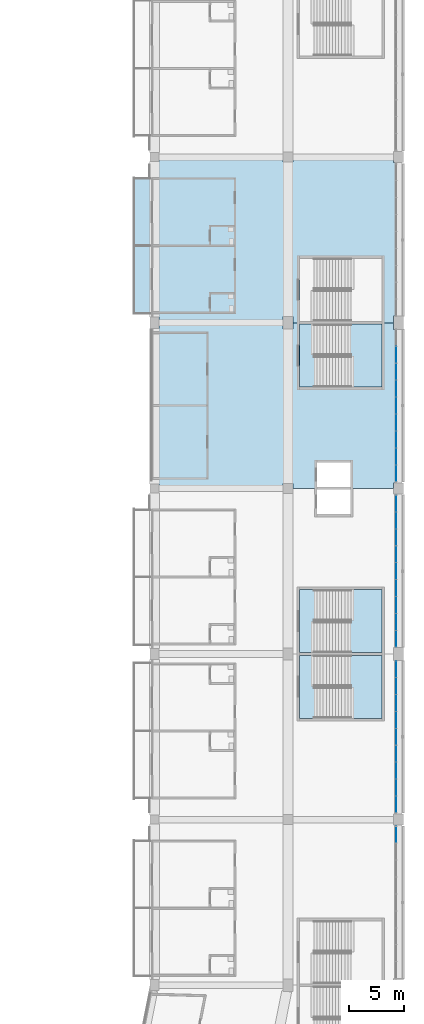
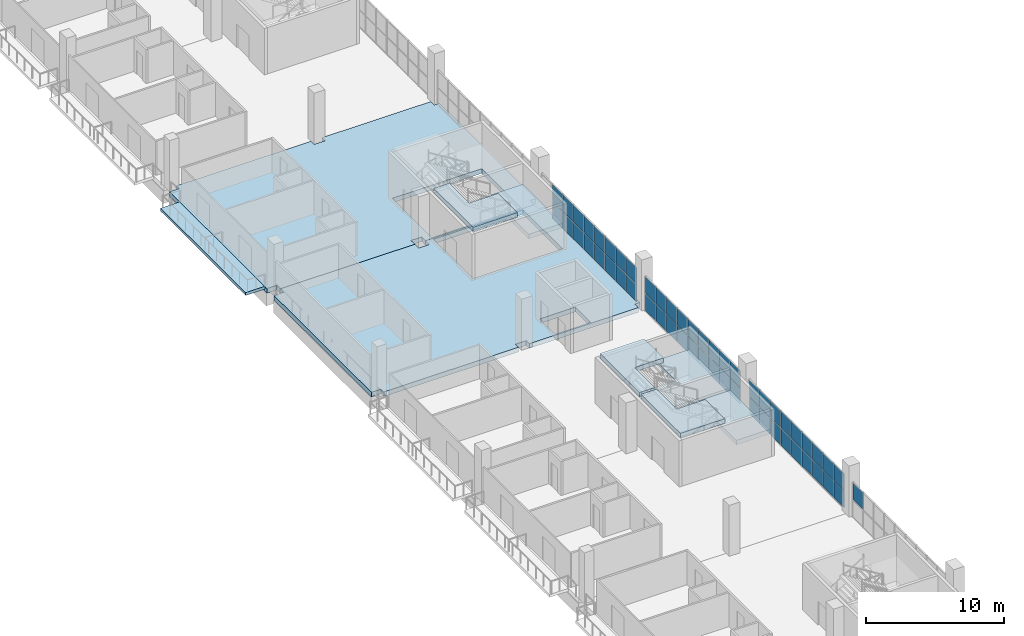
# One storey, part 64 of 199: 53 plates, 9 slabs, 7 elements without a shape of their own.
"""IFC4 building model written with IfcOpenShell, lengths in metres."""

from ifc_helpers import new_model, si_unit, direction, frame, origin, origin_2d, place, context, subcontext, project, spatial, polyline, rectangle, outline, extrude, material, layer, layer_set, type_object, element, aggregate, save


model = new_model("IFC4")

# Units and contexts
model_context = context("Model", 3, precision=1e-05, world=origin(), true_north=direction((0.0, 1.0)))
body_context = subcontext(model_context, "Body", "Model", "MODEL_VIEW")
ifc_project = project(units=[si_unit("LENGTHUNIT", "METRE"), si_unit("AREAUNIT", "SQUARE_METRE"), si_unit("VOLUMEUNIT", "CUBIC_METRE"), si_unit("PLANEANGLEUNIT", "RADIAN"), si_unit("MASSUNIT", "GRAM", prefix="KILO")], contexts=[model_context])

# Site, building, storey
site_placement = place(None, origin())
site = spatial("IfcSite", under=ifc_project, at=site_placement, CompositionType="ELEMENT")
building_placement = place(site_placement, origin())
building = spatial("IfcBuilding", under=site, at=building_placement, Name="Ogive Plaza Stadium", CompositionType="ELEMENT")
storey_placement = place(building_placement, frame((0.0, 0.0, 9.0)))
storey = spatial("IfcBuildingStorey", under=building, at=storey_placement, Name="L02", CompositionType="ELEMENT", Elevation=9.0)

# Slab
ifc_material_1 = material(Name="Concrete C40/50", Category="concrete")
ifc_layer_1 = layer(ifc_material_1, 0.25)
ifc_layer_set_1 = layer_set([ifc_layer_1], Name="Concrete C40/50")
slab_type_1 = type_object("IfcSlabType", Name="Balcony slab 250", PredefinedType="FLOOR", material=ifc_layer_set_1)
slab_1_placement = place(storey_placement, frame((0.0, 0.0, -0.25)))
element("IfcSlab", 1, at=slab_1_placement, inside=storey, type_object=slab_type_1, Name="Suite terrace slab B03", PredefinedType="FLOOR", context=body_context, shape_type="SweptSolid", body=[
    extrude(outline(polyline([(59.89990234375, 8.324951171875), (61.5, 8.324951171875), (61.5, 20.625), (59.89990234375, 20.625), (59.89990234375, 8.324951171875)])), origin(), (0.0, 0.0, 1.0), 0.25),
])

# Curtain wall, plates
ifc_material_2 = material(Name="Bronze-anodised aluminium with laminated glass", Category="aluminium")
curtain_wall_type = type_object("IfcCurtainWallType", Name="Lancet curtain wall", PredefinedType="NOTDEFINED", material=ifc_material_2)
curtain_wall_1_placement = place(storey_placement, origin())
curtain_wall_1 = element("IfcCurtainWall", 2, at=curtain_wall_1_placement, inside=storey, type_object=curtain_wall_type, Name="CURTAIN WALL B04 L02", PredefinedType="NOTDEFINED")
ifc_material_3 = material(Name="Laminated glass", Category="glass")
ifc_layer_2 = layer(ifc_material_3, 0.028076171875)
ifc_layer_set_2 = layer_set([ifc_layer_2], Name="Laminated glass panel 28")
plate_type = type_object("IfcPlateType", Name="Laminated glass panel 28", PredefinedType="CURTAIN_PANEL", material=ifc_layer_set_2)
plate_1_placement = place(storey_placement, frame((83.800048828125, 4.60009765625, 0.0498046875), z_axis=(0.0, 0.0, 1.0), x_axis=(0.0, -1.0, 0.0)))
plate_1 = element("IfcPlate", 3, at=plate_1_placement, type_object=plate_type, Name="CW-B04-L02 panel 2.1", PredefinedType="CURTAIN_PANEL", context=body_context, shape_type="SweptSolid", body=[
    extrude(rectangle(XDim=1.4833984375, YDim=0.028076171875, at=origin_2d()), origin(), (0.0, 0.0, 1.0), 1.469970703125),
])
plate_2_placement = place(storey_placement, frame((83.800048828125, 4.60009765625, 1.56982421875), z_axis=(0.0, 0.0, 1.0), x_axis=(0.0, -1.0, 0.0)))
plate_2 = element("IfcPlate", 4, at=plate_2_placement, type_object=plate_type, Name="CW-B04-L02 panel 2.2", PredefinedType="CURTAIN_PANEL", context=body_context, shape_type="SweptSolid", body=[
    extrude(rectangle(XDim=1.4833984375, YDim=0.028076171875, at=origin_2d()), origin(), (0.0, 0.0, 1.0), 1.469970703125),
])
plate_3_placement = place(storey_placement, frame((83.800048828125, 3.066650390625, 0.0498046875), z_axis=(0.0, 0.0, 1.0), x_axis=(0.0, -1.0, 0.0)))
plate_3 = element("IfcPlate", 5, at=plate_3_placement, type_object=plate_type, Name="CW-B04-L02 panel 3.1", PredefinedType="CURTAIN_PANEL", context=body_context, shape_type="SweptSolid", body=[
    extrude(rectangle(XDim=1.4833984375, YDim=0.028076171875, at=origin_2d()), origin(), (0.0, 0.0, 1.0), 1.469970703125),
])
plate_4_placement = place(storey_placement, frame((83.800048828125, 3.066650390625, 1.56982421875), z_axis=(0.0, 0.0, 1.0), x_axis=(0.0, -1.0, 0.0)))
plate_4 = element("IfcPlate", 6, at=plate_4_placement, type_object=plate_type, Name="CW-B04-L02 panel 3.2", PredefinedType="CURTAIN_PANEL", context=body_context, shape_type="SweptSolid", body=[
    extrude(rectangle(XDim=1.4833984375, YDim=0.028076171875, at=origin_2d()), origin(), (0.0, 0.0, 1.0), 1.469970703125),
])
plate_5_placement = place(storey_placement, frame((83.800048828125, 1.533447265625, 0.0498046875), z_axis=(0.0, 0.0, 1.0), x_axis=(0.0, -1.0, 0.0)))
plate_5 = element("IfcPlate", 7, at=plate_5_placement, type_object=plate_type, Name="CW-B04-L02 panel 4.1", PredefinedType="CURTAIN_PANEL", context=body_context, shape_type="SweptSolid", body=[
    extrude(rectangle(XDim=1.4833984375, YDim=0.028076171875, at=origin_2d()), origin(), (0.0, 0.0, 1.0), 1.469970703125),
])
plate_6_placement = place(storey_placement, frame((83.800048828125, 1.533447265625, 1.56982421875), z_axis=(0.0, 0.0, 1.0), x_axis=(0.0, -1.0, 0.0)))
plate_6 = element("IfcPlate", 8, at=plate_6_placement, type_object=plate_type, Name="CW-B04-L02 panel 4.2", PredefinedType="CURTAIN_PANEL", context=body_context, shape_type="SweptSolid", body=[
    extrude(rectangle(XDim=1.4833984375, YDim=0.028076171875, at=origin_2d()), origin(), (0.0, 0.0, 1.0), 1.469970703125),
])
plate_7_placement = place(storey_placement, frame((83.800048828125, 0.0, 0.0498046875), z_axis=(0.0, 0.0, 1.0), x_axis=(0.0, -1.0, 0.0)))
plate_7 = element("IfcPlate", 9, at=plate_7_placement, type_object=plate_type, Name="CW-B04-L02 panel 5.1", PredefinedType="CURTAIN_PANEL", context=body_context, shape_type="SweptSolid", body=[
    extrude(rectangle(XDim=1.4833984375, YDim=0.028076171875, at=origin_2d()), origin(), (0.0, 0.0, 1.0), 1.469970703125),
])
plate_8_placement = place(storey_placement, frame((83.800048828125, 0.0, 1.56982421875), z_axis=(0.0, 0.0, 1.0), x_axis=(0.0, -1.0, 0.0)))
plate_8 = element("IfcPlate", 10, at=plate_8_placement, type_object=plate_type, Name="CW-B04-L02 panel 5.2", PredefinedType="CURTAIN_PANEL", context=body_context, shape_type="SweptSolid", body=[
    extrude(rectangle(XDim=1.4833984375, YDim=0.028076171875, at=origin_2d()), origin(), (0.0, 0.0, 1.0), 1.469970703125),
])
plate_9_placement = place(storey_placement, frame((83.800048828125, -1.533447265625, 0.0498046875), z_axis=(0.0, 0.0, 1.0), x_axis=(0.0, -1.0, 0.0)))
plate_9 = element("IfcPlate", 11, at=plate_9_placement, type_object=plate_type, Name="CW-B04-L02 panel 6.1", PredefinedType="CURTAIN_PANEL", context=body_context, shape_type="SweptSolid", body=[
    extrude(rectangle(XDim=1.4833984375, YDim=0.028076171875, at=origin_2d()), origin(), (0.0, 0.0, 1.0), 1.469970703125),
])
plate_10_placement = place(storey_placement, frame((83.800048828125, -1.533447265625, 1.56982421875), z_axis=(0.0, 0.0, 1.0), x_axis=(0.0, -1.0, 0.0)))
plate_10 = element("IfcPlate", 12, at=plate_10_placement, type_object=plate_type, Name="CW-B04-L02 panel 6.2", PredefinedType="CURTAIN_PANEL", context=body_context, shape_type="SweptSolid", body=[
    extrude(rectangle(XDim=1.4833984375, YDim=0.028076171875, at=origin_2d()), origin(), (0.0, 0.0, 1.0), 1.469970703125),
])
plate_11_placement = place(storey_placement, frame((83.800048828125, -3.066650390625, 0.0498046875), z_axis=(0.0, 0.0, 1.0), x_axis=(0.0, -1.0, 0.0)))
plate_11 = element("IfcPlate", 13, at=plate_11_placement, type_object=plate_type, Name="CW-B04-L02 panel 7.1", PredefinedType="CURTAIN_PANEL", context=body_context, shape_type="SweptSolid", body=[
    extrude(rectangle(XDim=1.4833984375, YDim=0.028076171875, at=origin_2d()), origin(), (0.0, 0.0, 1.0), 1.469970703125),
])
plate_12_placement = place(storey_placement, frame((83.800048828125, -3.066650390625, 1.56982421875), z_axis=(0.0, 0.0, 1.0), x_axis=(0.0, -1.0, 0.0)))
plate_12 = element("IfcPlate", 14, at=plate_12_placement, type_object=plate_type, Name="CW-B04-L02 panel 7.2", PredefinedType="CURTAIN_PANEL", context=body_context, shape_type="SweptSolid", body=[
    extrude(rectangle(XDim=1.4833984375, YDim=0.028076171875, at=origin_2d()), origin(), (0.0, 0.0, 1.0), 1.469970703125),
])
plate_13_placement = place(storey_placement, frame((83.800048828125, -4.60009765625, 0.0498046875), z_axis=(0.0, 0.0, 1.0), x_axis=(0.0, -1.0, 0.0)))
plate_13 = element("IfcPlate", 15, at=plate_13_placement, type_object=plate_type, Name="CW-B04-L02 panel 8.1", PredefinedType="CURTAIN_PANEL", context=body_context, shape_type="SweptSolid", body=[
    extrude(rectangle(XDim=1.4833984375, YDim=0.028076171875, at=origin_2d()), origin(), (0.0, 0.0, 1.0), 1.469970703125),
])
plate_14_placement = place(storey_placement, frame((83.800048828125, -4.60009765625, 1.56982421875), z_axis=(0.0, 0.0, 1.0), x_axis=(0.0, -1.0, 0.0)))
plate_14 = element("IfcPlate", 16, at=plate_14_placement, type_object=plate_type, Name="CW-B04-L02 panel 8.2", PredefinedType="CURTAIN_PANEL", context=body_context, shape_type="SweptSolid", body=[
    extrude(rectangle(XDim=1.4833984375, YDim=0.028076171875, at=origin_2d()), origin(), (0.0, 0.0, 1.0), 1.469970703125),
])
plate_15_placement = place(storey_placement, frame((83.800048828125, -6.120849609375, 0.0498046875), z_axis=(0.0, 0.0, 1.0), x_axis=(0.0, -1.0, 0.0)))
plate_15 = element("IfcPlate", 17, at=plate_15_placement, type_object=plate_type, Name="CW-B04-L02 panel 9.1", PredefinedType="CURTAIN_PANEL", context=body_context, shape_type="SweptSolid", body=[
    extrude(rectangle(XDim=1.458251953125, YDim=0.028076171875, at=origin_2d()), origin(), (0.0, 0.0, 1.0), 1.469970703125),
])
plate_16_placement = place(storey_placement, frame((83.800048828125, -6.120849609375, 1.56982421875), z_axis=(0.0, 0.0, 1.0), x_axis=(0.0, -1.0, 0.0)))
plate_16 = element("IfcPlate", 18, at=plate_16_placement, type_object=plate_type, Name="CW-B04-L02 panel 9.2", PredefinedType="CURTAIN_PANEL", context=body_context, shape_type="SweptSolid", body=[
    extrude(rectangle(XDim=1.458251953125, YDim=0.028076171875, at=origin_2d()), origin(), (0.0, 0.0, 1.0), 1.469970703125),
])
aggregate(curtain_wall_1, [plate_1, plate_2, plate_3, plate_4, plate_5, plate_6, plate_7, plate_8, plate_9, plate_10, plate_11, plate_12, plate_13, plate_14, plate_15, plate_16])

curtain_wall_2_placement = place(storey_placement, origin())
curtain_wall_2 = element("IfcCurtainWall", 19, at=curtain_wall_2_placement, inside=storey, type_object=curtain_wall_type, Name="CURTAIN WALL B05 L02", PredefinedType="NOTDEFINED")
plate_17_placement = place(storey_placement, frame((83.800048828125, -8.879150390625, 0.0498046875), z_axis=(0.0, 0.0, 1.0), x_axis=(0.0, -1.0, 0.0)))
plate_17 = element("IfcPlate", 20, at=plate_17_placement, type_object=plate_type, Name="CW-B05-L02 panel 1.1", PredefinedType="CURTAIN_PANEL", context=body_context, shape_type="SweptSolid", body=[
    extrude(rectangle(XDim=1.458251953125, YDim=0.028076171875, at=origin_2d()), origin(), (0.0, 0.0, 1.0), 1.469970703125),
])
plate_18_placement = place(storey_placement, frame((83.800048828125, -8.879150390625, 1.56982421875), z_axis=(0.0, 0.0, 1.0), x_axis=(0.0, -1.0, 0.0)))
plate_18 = element("IfcPlate", 21, at=plate_18_placement, type_object=plate_type, Name="CW-B05-L02 panel 1.2", PredefinedType="CURTAIN_PANEL", context=body_context, shape_type="SweptSolid", body=[
    extrude(rectangle(XDim=1.458251953125, YDim=0.028076171875, at=origin_2d()), origin(), (0.0, 0.0, 1.0), 1.469970703125),
])
plate_19_placement = place(storey_placement, frame((83.800048828125, -10.39990234375, 0.0498046875), z_axis=(0.0, 0.0, 1.0), x_axis=(0.0, -1.0, 0.0)))
plate_19 = element("IfcPlate", 22, at=plate_19_placement, type_object=plate_type, Name="CW-B05-L02 panel 2.1", PredefinedType="CURTAIN_PANEL", context=body_context, shape_type="SweptSolid", body=[
    extrude(rectangle(XDim=1.4833984375, YDim=0.028076171875, at=origin_2d()), origin(), (0.0, 0.0, 1.0), 1.469970703125),
])
plate_20_placement = place(storey_placement, frame((83.800048828125, -10.39990234375, 1.56982421875), z_axis=(0.0, 0.0, 1.0), x_axis=(0.0, -1.0, 0.0)))
plate_20 = element("IfcPlate", 23, at=plate_20_placement, type_object=plate_type, Name="CW-B05-L02 panel 2.2", PredefinedType="CURTAIN_PANEL", context=body_context, shape_type="SweptSolid", body=[
    extrude(rectangle(XDim=1.4833984375, YDim=0.028076171875, at=origin_2d()), origin(), (0.0, 0.0, 1.0), 1.469970703125),
])
plate_21_placement = place(storey_placement, frame((83.800048828125, -11.933349609375, 0.0498046875), z_axis=(0.0, 0.0, 1.0), x_axis=(0.0, -1.0, 0.0)))
plate_21 = element("IfcPlate", 24, at=plate_21_placement, type_object=plate_type, Name="CW-B05-L02 panel 3.1", PredefinedType="CURTAIN_PANEL", context=body_context, shape_type="SweptSolid", body=[
    extrude(rectangle(XDim=1.4833984375, YDim=0.028076171875, at=origin_2d()), origin(), (0.0, 0.0, 1.0), 1.469970703125),
])
plate_22_placement = place(storey_placement, frame((83.800048828125, -11.933349609375, 1.56982421875), z_axis=(0.0, 0.0, 1.0), x_axis=(0.0, -1.0, 0.0)))
plate_22 = element("IfcPlate", 25, at=plate_22_placement, type_object=plate_type, Name="CW-B05-L02 panel 3.2", PredefinedType="CURTAIN_PANEL", context=body_context, shape_type="SweptSolid", body=[
    extrude(rectangle(XDim=1.4833984375, YDim=0.028076171875, at=origin_2d()), origin(), (0.0, 0.0, 1.0), 1.469970703125),
])
plate_23_placement = place(storey_placement, frame((83.800048828125, -13.466552734375, 0.0498046875), z_axis=(0.0, 0.0, 1.0), x_axis=(0.0, -1.0, 0.0)))
plate_23 = element("IfcPlate", 26, at=plate_23_placement, type_object=plate_type, Name="CW-B05-L02 panel 4.1", PredefinedType="CURTAIN_PANEL", context=body_context, shape_type="SweptSolid", body=[
    extrude(rectangle(XDim=1.4833984375, YDim=0.028076171875, at=origin_2d()), origin(), (0.0, 0.0, 1.0), 1.469970703125),
])
plate_24_placement = place(storey_placement, frame((83.800048828125, -13.466552734375, 1.56982421875), z_axis=(0.0, 0.0, 1.0), x_axis=(0.0, -1.0, 0.0)))
plate_24 = element("IfcPlate", 27, at=plate_24_placement, type_object=plate_type, Name="CW-B05-L02 panel 4.2", PredefinedType="CURTAIN_PANEL", context=body_context, shape_type="SweptSolid", body=[
    extrude(rectangle(XDim=1.4833984375, YDim=0.028076171875, at=origin_2d()), origin(), (0.0, 0.0, 1.0), 1.469970703125),
])
plate_25_placement = place(storey_placement, frame((83.800048828125, -15.0, 0.0498046875), z_axis=(0.0, 0.0, 1.0), x_axis=(0.0, -1.0, 0.0)))
plate_25 = element("IfcPlate", 28, at=plate_25_placement, type_object=plate_type, Name="CW-B05-L02 panel 5.1", PredefinedType="CURTAIN_PANEL", context=body_context, shape_type="SweptSolid", body=[
    extrude(rectangle(XDim=1.4833984375, YDim=0.028076171875, at=origin_2d()), origin(), (0.0, 0.0, 1.0), 1.469970703125),
])
plate_26_placement = place(storey_placement, frame((83.800048828125, -15.0, 1.56982421875), z_axis=(0.0, 0.0, 1.0), x_axis=(0.0, -1.0, 0.0)))
plate_26 = element("IfcPlate", 29, at=plate_26_placement, type_object=plate_type, Name="CW-B05-L02 panel 5.2", PredefinedType="CURTAIN_PANEL", context=body_context, shape_type="SweptSolid", body=[
    extrude(rectangle(XDim=1.4833984375, YDim=0.028076171875, at=origin_2d()), origin(), (0.0, 0.0, 1.0), 1.469970703125),
])
plate_27_placement = place(storey_placement, frame((83.800048828125, -16.533447265625, 0.0498046875), z_axis=(0.0, 0.0, 1.0), x_axis=(0.0, -1.0, 0.0)))
plate_27 = element("IfcPlate", 30, at=plate_27_placement, type_object=plate_type, Name="CW-B05-L02 panel 6.1", PredefinedType="CURTAIN_PANEL", context=body_context, shape_type="SweptSolid", body=[
    extrude(rectangle(XDim=1.4833984375, YDim=0.028076171875, at=origin_2d()), origin(), (0.0, 0.0, 1.0), 1.469970703125),
])
plate_28_placement = place(storey_placement, frame((83.800048828125, -16.533447265625, 1.56982421875), z_axis=(0.0, 0.0, 1.0), x_axis=(0.0, -1.0, 0.0)))
plate_28 = element("IfcPlate", 31, at=plate_28_placement, type_object=plate_type, Name="CW-B05-L02 panel 6.2", PredefinedType="CURTAIN_PANEL", context=body_context, shape_type="SweptSolid", body=[
    extrude(rectangle(XDim=1.4833984375, YDim=0.028076171875, at=origin_2d()), origin(), (0.0, 0.0, 1.0), 1.469970703125),
])
plate_29_placement = place(storey_placement, frame((83.800048828125, -18.066650390625, 0.0498046875), z_axis=(0.0, 0.0, 1.0), x_axis=(0.0, -1.0, 0.0)))
plate_29 = element("IfcPlate", 32, at=plate_29_placement, type_object=plate_type, Name="CW-B05-L02 panel 7.1", PredefinedType="CURTAIN_PANEL", context=body_context, shape_type="SweptSolid", body=[
    extrude(rectangle(XDim=1.4833984375, YDim=0.028076171875, at=origin_2d()), origin(), (0.0, 0.0, 1.0), 1.469970703125),
])
plate_30_placement = place(storey_placement, frame((83.800048828125, -18.066650390625, 1.56982421875), z_axis=(0.0, 0.0, 1.0), x_axis=(0.0, -1.0, 0.0)))
plate_30 = element("IfcPlate", 33, at=plate_30_placement, type_object=plate_type, Name="CW-B05-L02 panel 7.2", PredefinedType="CURTAIN_PANEL", context=body_context, shape_type="SweptSolid", body=[
    extrude(rectangle(XDim=1.4833984375, YDim=0.028076171875, at=origin_2d()), origin(), (0.0, 0.0, 1.0), 1.469970703125),
])
plate_31_placement = place(storey_placement, frame((83.800048828125, -19.60009765625, 0.0498046875), z_axis=(0.0, 0.0, 1.0), x_axis=(0.0, -1.0, 0.0)))
plate_31 = element("IfcPlate", 34, at=plate_31_placement, type_object=plate_type, Name="CW-B05-L02 panel 8.1", PredefinedType="CURTAIN_PANEL", context=body_context, shape_type="SweptSolid", body=[
    extrude(rectangle(XDim=1.4833984375, YDim=0.028076171875, at=origin_2d()), origin(), (0.0, 0.0, 1.0), 1.469970703125),
])
plate_32_placement = place(storey_placement, frame((83.800048828125, -19.60009765625, 1.56982421875), z_axis=(0.0, 0.0, 1.0), x_axis=(0.0, -1.0, 0.0)))
plate_32 = element("IfcPlate", 35, at=plate_32_placement, type_object=plate_type, Name="CW-B05-L02 panel 8.2", PredefinedType="CURTAIN_PANEL", context=body_context, shape_type="SweptSolid", body=[
    extrude(rectangle(XDim=1.4833984375, YDim=0.028076171875, at=origin_2d()), origin(), (0.0, 0.0, 1.0), 1.469970703125),
])
plate_33_placement = place(storey_placement, frame((83.800048828125, -21.120849609375, 0.0498046875), z_axis=(0.0, 0.0, 1.0), x_axis=(0.0, -1.0, 0.0)))
plate_33 = element("IfcPlate", 36, at=plate_33_placement, type_object=plate_type, Name="CW-B05-L02 panel 9.1", PredefinedType="CURTAIN_PANEL", context=body_context, shape_type="SweptSolid", body=[
    extrude(rectangle(XDim=1.458251953125, YDim=0.028076171875, at=origin_2d()), origin(), (0.0, 0.0, 1.0), 1.469970703125),
])
plate_34_placement = place(storey_placement, frame((83.800048828125, -21.120849609375, 1.56982421875), z_axis=(0.0, 0.0, 1.0), x_axis=(0.0, -1.0, 0.0)))
plate_34 = element("IfcPlate", 37, at=plate_34_placement, type_object=plate_type, Name="CW-B05-L02 panel 9.2", PredefinedType="CURTAIN_PANEL", context=body_context, shape_type="SweptSolid", body=[
    extrude(rectangle(XDim=1.458251953125, YDim=0.028076171875, at=origin_2d()), origin(), (0.0, 0.0, 1.0), 1.469970703125),
])
aggregate(curtain_wall_2, [plate_17, plate_18, plate_19, plate_20, plate_21, plate_22, plate_23, plate_24, plate_25, plate_26, plate_27, plate_28, plate_29, plate_30, plate_31, plate_32, plate_33, plate_34])

curtain_wall_3_placement = place(storey_placement, origin())
curtain_wall_3 = element("IfcCurtainWall", 38, at=curtain_wall_3_placement, inside=storey, type_object=curtain_wall_type, Name="CURTAIN WALL B06 L02", PredefinedType="NOTDEFINED")
plate_35_placement = place(storey_placement, frame((83.800048828125, -23.879150390625, 0.0498046875), z_axis=(0.0, 0.0, 1.0), x_axis=(0.0, -1.0, 0.0)))
plate_35 = element("IfcPlate", 39, at=plate_35_placement, type_object=plate_type, Name="CW-B06-L02 panel 1.1", PredefinedType="CURTAIN_PANEL", context=body_context, shape_type="SweptSolid", body=[
    extrude(rectangle(XDim=1.458251953125, YDim=0.028076171875, at=origin_2d()), origin(), (0.0, 0.0, 1.0), 1.469970703125),
])
plate_36_placement = place(storey_placement, frame((83.800048828125, -23.879150390625, 1.56982421875), z_axis=(0.0, 0.0, 1.0), x_axis=(0.0, -1.0, 0.0)))
plate_36 = element("IfcPlate", 40, at=plate_36_placement, type_object=plate_type, Name="CW-B06-L02 panel 1.2", PredefinedType="CURTAIN_PANEL", context=body_context, shape_type="SweptSolid", body=[
    extrude(rectangle(XDim=1.458251953125, YDim=0.028076171875, at=origin_2d()), origin(), (0.0, 0.0, 1.0), 1.469970703125),
])
plate_37_placement = place(storey_placement, frame((83.800048828125, -25.39990234375, 0.0498046875), z_axis=(0.0, 0.0, 1.0), x_axis=(0.0, -1.0, 0.0)))
plate_37 = element("IfcPlate", 41, at=plate_37_placement, type_object=plate_type, Name="CW-B06-L02 panel 2.1", PredefinedType="CURTAIN_PANEL", context=body_context, shape_type="SweptSolid", body=[
    extrude(rectangle(XDim=1.4833984375, YDim=0.028076171875, at=origin_2d()), origin(), (0.0, 0.0, 1.0), 1.469970703125),
])
plate_38_placement = place(storey_placement, frame((83.800048828125, -25.39990234375, 1.56982421875), z_axis=(0.0, 0.0, 1.0), x_axis=(0.0, -1.0, 0.0)))
plate_38 = element("IfcPlate", 42, at=plate_38_placement, type_object=plate_type, Name="CW-B06-L02 panel 2.2", PredefinedType="CURTAIN_PANEL", context=body_context, shape_type="SweptSolid", body=[
    extrude(rectangle(XDim=1.4833984375, YDim=0.028076171875, at=origin_2d()), origin(), (0.0, 0.0, 1.0), 1.469970703125),
])
plate_39_placement = place(storey_placement, frame((83.800048828125, -26.933349609375, 0.0498046875), z_axis=(0.0, 0.0, 1.0), x_axis=(0.0, -1.0, 0.0)))
plate_39 = element("IfcPlate", 43, at=plate_39_placement, type_object=plate_type, Name="CW-B06-L02 panel 3.1", PredefinedType="CURTAIN_PANEL", context=body_context, shape_type="SweptSolid", body=[
    extrude(rectangle(XDim=1.4833984375, YDim=0.028076171875, at=origin_2d()), origin(), (0.0, 0.0, 1.0), 1.469970703125),
])
plate_40_placement = place(storey_placement, frame((83.800048828125, -26.933349609375, 1.56982421875), z_axis=(0.0, 0.0, 1.0), x_axis=(0.0, -1.0, 0.0)))
plate_40 = element("IfcPlate", 44, at=plate_40_placement, type_object=plate_type, Name="CW-B06-L02 panel 3.2", PredefinedType="CURTAIN_PANEL", context=body_context, shape_type="SweptSolid", body=[
    extrude(rectangle(XDim=1.4833984375, YDim=0.028076171875, at=origin_2d()), origin(), (0.0, 0.0, 1.0), 1.469970703125),
])
plate_41_placement = place(storey_placement, frame((83.800048828125, -28.466552734375, 0.0498046875), z_axis=(0.0, 0.0, 1.0), x_axis=(0.0, -1.0, 0.0)))
plate_41 = element("IfcPlate", 45, at=plate_41_placement, type_object=plate_type, Name="CW-B06-L02 panel 4.1", PredefinedType="CURTAIN_PANEL", context=body_context, shape_type="SweptSolid", body=[
    extrude(rectangle(XDim=1.4833984375, YDim=0.028076171875, at=origin_2d()), origin(), (0.0, 0.0, 1.0), 1.469970703125),
])
plate_42_placement = place(storey_placement, frame((83.800048828125, -28.466552734375, 1.56982421875), z_axis=(0.0, 0.0, 1.0), x_axis=(0.0, -1.0, 0.0)))
plate_42 = element("IfcPlate", 46, at=plate_42_placement, type_object=plate_type, Name="CW-B06-L02 panel 4.2", PredefinedType="CURTAIN_PANEL", context=body_context, shape_type="SweptSolid", body=[
    extrude(rectangle(XDim=1.4833984375, YDim=0.028076171875, at=origin_2d()), origin(), (0.0, 0.0, 1.0), 1.469970703125),
])
plate_43_placement = place(storey_placement, frame((83.800048828125, -30.0, 0.0498046875), z_axis=(0.0, 0.0, 1.0), x_axis=(0.0, -1.0, 0.0)))
plate_43 = element("IfcPlate", 47, at=plate_43_placement, type_object=plate_type, Name="CW-B06-L02 panel 5.1", PredefinedType="CURTAIN_PANEL", context=body_context, shape_type="SweptSolid", body=[
    extrude(rectangle(XDim=1.4833984375, YDim=0.028076171875, at=origin_2d()), origin(), (0.0, 0.0, 1.0), 1.469970703125),
])
plate_44_placement = place(storey_placement, frame((83.800048828125, -30.0, 1.56982421875), z_axis=(0.0, 0.0, 1.0), x_axis=(0.0, -1.0, 0.0)))
plate_44 = element("IfcPlate", 48, at=plate_44_placement, type_object=plate_type, Name="CW-B06-L02 panel 5.2", PredefinedType="CURTAIN_PANEL", context=body_context, shape_type="SweptSolid", body=[
    extrude(rectangle(XDim=1.4833984375, YDim=0.028076171875, at=origin_2d()), origin(), (0.0, 0.0, 1.0), 1.469970703125),
])
plate_45_placement = place(storey_placement, frame((83.800048828125, -31.533447265625, 0.0498046875), z_axis=(0.0, 0.0, 1.0), x_axis=(0.0, -1.0, 0.0)))
plate_45 = element("IfcPlate", 49, at=plate_45_placement, type_object=plate_type, Name="CW-B06-L02 panel 6.1", PredefinedType="CURTAIN_PANEL", context=body_context, shape_type="SweptSolid", body=[
    extrude(rectangle(XDim=1.4833984375, YDim=0.028076171875, at=origin_2d()), origin(), (0.0, 0.0, 1.0), 1.469970703125),
])
plate_46_placement = place(storey_placement, frame((83.800048828125, -31.533447265625, 1.56982421875), z_axis=(0.0, 0.0, 1.0), x_axis=(0.0, -1.0, 0.0)))
plate_46 = element("IfcPlate", 50, at=plate_46_placement, type_object=plate_type, Name="CW-B06-L02 panel 6.2", PredefinedType="CURTAIN_PANEL", context=body_context, shape_type="SweptSolid", body=[
    extrude(rectangle(XDim=1.4833984375, YDim=0.028076171875, at=origin_2d()), origin(), (0.0, 0.0, 1.0), 1.469970703125),
])
plate_47_placement = place(storey_placement, frame((83.800048828125, -33.066650390625, 0.0498046875), z_axis=(0.0, 0.0, 1.0), x_axis=(0.0, -1.0, 0.0)))
plate_47 = element("IfcPlate", 51, at=plate_47_placement, type_object=plate_type, Name="CW-B06-L02 panel 7.1", PredefinedType="CURTAIN_PANEL", context=body_context, shape_type="SweptSolid", body=[
    extrude(rectangle(XDim=1.4833984375, YDim=0.028076171875, at=origin_2d()), origin(), (0.0, 0.0, 1.0), 1.469970703125),
])
plate_48_placement = place(storey_placement, frame((83.800048828125, -33.066650390625, 1.56982421875), z_axis=(0.0, 0.0, 1.0), x_axis=(0.0, -1.0, 0.0)))
plate_48 = element("IfcPlate", 52, at=plate_48_placement, type_object=plate_type, Name="CW-B06-L02 panel 7.2", PredefinedType="CURTAIN_PANEL", context=body_context, shape_type="SweptSolid", body=[
    extrude(rectangle(XDim=1.4833984375, YDim=0.028076171875, at=origin_2d()), origin(), (0.0, 0.0, 1.0), 1.469970703125),
])
plate_49_placement = place(storey_placement, frame((83.800048828125, -34.60009765625, 0.0498046875), z_axis=(0.0, 0.0, 1.0), x_axis=(0.0, -1.0, 0.0)))
plate_49 = element("IfcPlate", 53, at=plate_49_placement, type_object=plate_type, Name="CW-B06-L02 panel 8.1", PredefinedType="CURTAIN_PANEL", context=body_context, shape_type="SweptSolid", body=[
    extrude(rectangle(XDim=1.4833984375, YDim=0.028076171875, at=origin_2d()), origin(), (0.0, 0.0, 1.0), 1.469970703125),
])
plate_50_placement = place(storey_placement, frame((83.800048828125, -34.60009765625, 1.56982421875), z_axis=(0.0, 0.0, 1.0), x_axis=(0.0, -1.0, 0.0)))
plate_50 = element("IfcPlate", 54, at=plate_50_placement, type_object=plate_type, Name="CW-B06-L02 panel 8.2", PredefinedType="CURTAIN_PANEL", context=body_context, shape_type="SweptSolid", body=[
    extrude(rectangle(XDim=1.4833984375, YDim=0.028076171875, at=origin_2d()), origin(), (0.0, 0.0, 1.0), 1.469970703125),
])
plate_51_placement = place(storey_placement, frame((83.800048828125, -36.120849609375, 0.0498046875), z_axis=(0.0, 0.0, 1.0), x_axis=(0.0, -1.0, 0.0)))
plate_51 = element("IfcPlate", 55, at=plate_51_placement, type_object=plate_type, Name="CW-B06-L02 panel 9.1", PredefinedType="CURTAIN_PANEL", context=body_context, shape_type="SweptSolid", body=[
    extrude(rectangle(XDim=1.458251953125, YDim=0.028076171875, at=origin_2d()), origin(), (0.0, 0.0, 1.0), 1.469970703125),
])
plate_52_placement = place(storey_placement, frame((83.800048828125, -36.120849609375, 1.56982421875), z_axis=(0.0, 0.0, 1.0), x_axis=(0.0, -1.0, 0.0)))
plate_52 = element("IfcPlate", 56, at=plate_52_placement, type_object=plate_type, Name="CW-B06-L02 panel 9.2", PredefinedType="CURTAIN_PANEL", context=body_context, shape_type="SweptSolid", body=[
    extrude(rectangle(XDim=1.458251953125, YDim=0.028076171875, at=origin_2d()), origin(), (0.0, 0.0, 1.0), 1.469970703125),
])
aggregate(curtain_wall_3, [plate_35, plate_36, plate_37, plate_38, plate_39, plate_40, plate_41, plate_42, plate_43, plate_44, plate_45, plate_46, plate_47, plate_48, plate_49, plate_50, plate_51, plate_52])

# Curtain wall, plate
curtain_wall_4_placement = place(storey_placement, origin())
curtain_wall_4 = element("IfcCurtainWall", 57, at=curtain_wall_4_placement, inside=storey, type_object=curtain_wall_type, Name="CURTAIN WALL B07 L02", PredefinedType="NOTDEFINED")
plate_53_placement = place(storey_placement, frame((83.800048828125, -38.879150390625, 1.56982421875), z_axis=(0.0, 0.0, 1.0), x_axis=(0.0, -1.0, 0.0)))
plate_53 = element("IfcPlate", 58, at=plate_53_placement, type_object=plate_type, Name="CW-B07-L02 panel 1.2", PredefinedType="CURTAIN_PANEL", context=body_context, shape_type="SweptSolid", body=[
    extrude(rectangle(XDim=1.458251953125, YDim=0.028076171875, at=origin_2d()), origin(), (0.0, 0.0, 1.0), 1.469970703125),
])
aggregate(curtain_wall_4, [plate_53])

# Slabs
ifc_material_4 = material(Name="Concrete C40/50", Category="concrete")
ifc_layer_3 = layer(ifc_material_4, 0.409912109375)
ifc_layer_set_3 = layer_set([ifc_layer_3], Name="Concrete C40/50")
slab_type_2 = type_object("IfcSlabType", Name="RC floor slab 410", PredefinedType="FLOOR", material=ifc_layer_set_3)
slab_2_placement = place(storey_placement, frame((0.0, 0.0, -0.409912109375)))
element("IfcSlab", 59, at=slab_2_placement, inside=storey, type_object=slab_type_2, Name="Floor slab L02 B03", PredefinedType="FLOOR", context=body_context, shape_type="SweptSolid", body=[
    extrude(outline(polyline([(73.550048828125, 7.5), (73.550048828125, 8.050048828125), (74.449951171875, 8.050048828125), (74.449951171875, 7.5), (83.550048828125, 7.5), (83.550048828125, 8.10009765625), (84.0, 8.10009765625), (84.0, 22.0), (83.550048828125, 22.0), (83.550048828125, 22.5), (74.449951171875, 22.5), (74.449951171875, 22.050048828125), (73.550048828125, 22.050048828125), (73.550048828125, 22.5), (62.300048828125, 22.5), (62.300048828125, 22.10009765625), (61.5, 22.10009765625), (61.5, 8.0), (62.300048828125, 8.0), (62.300048828125, 7.5), (73.550048828125, 7.5)]), holes=[polyline([(75.050048828125, 13.324951171875), (75.050048828125, 7.625), (82.510009765625, 7.625), (82.510009765625, 13.324951171875), (75.050048828125, 13.324951171875)])]), origin(), (0.0, 0.0, 1.0), 0.409912109375),
])
slab_3_placement = place(storey_placement, frame((0.0, 0.0, -0.409912109375)))
element("IfcSlab", 60, at=slab_3_placement, inside=storey, type_object=slab_type_2, Name="Floor slab L02 B04", PredefinedType="FLOOR", context=body_context, shape_type="SweptSolid", body=[
    extrude(outline(polyline([(73.550048828125, -7.5), (73.550048828125, -7.050048828125), (74.449951171875, -7.050048828125), (74.449951171875, -7.5), (83.550048828125, -7.5), (83.550048828125, -7.0), (84.0, -7.0), (84.0, 6.89990234375), (83.550048828125, 6.89990234375), (83.550048828125, 7.5), (74.449951171875, 7.5), (74.449951171875, 6.949951171875), (73.550048828125, 6.949951171875), (73.550048828125, 7.5), (62.300048828125, 7.5), (62.300048828125, 7.0), (61.5, 7.0), (61.5, -7.10009765625), (62.300048828125, -7.10009765625), (62.300048828125, -7.5), (73.550048828125, -7.5)]), holes=[polyline([(76.64990234375, -5.175048828125), (76.64990234375, -7.375), (79.64990234375, -7.375), (79.64990234375, -5.175048828125), (76.64990234375, -5.175048828125)]), polyline([(75.050048828125, 7.375), (75.050048828125, 1.675048828125), (82.510009765625, 1.675048828125), (82.510009765625, 7.375), (75.050048828125, 7.375)])]), origin(), (0.0, 0.0, 1.0), 0.409912109375),
])

# Stair, slabs
ifc_material_5 = material(Name="Concrete C40/50", Category="concrete")
stair_type = type_object("IfcStairType", Name="Exit stair", PredefinedType="STRAIGHT_RUN_STAIR", material=ifc_material_5)
stair_1_placement = place(storey_placement, origin())
stair_1 = element("IfcStair", 61, at=stair_1_placement, inside=storey, type_object=stair_type, Name="Exit stair ST04A L02 to L03", PredefinedType="STRAIGHT_RUN_STAIR")
ifc_material_6 = material(Name="Concrete C40/50", Category="concrete")
ifc_layer_4 = layer(ifc_material_6, 0.39990234375)
ifc_layer_set_4 = layer_set([ifc_layer_4], Name="Concrete C40/50")
slab_type_3 = type_object("IfcSlabType", Name="Stair landing", PredefinedType="LANDING", material=ifc_layer_set_4)
slab_4_placement = place(storey_placement, frame((0.0, 0.0, 1.85009765625)))
slab_4 = element("IfcSlab", 62, at=slab_4_placement, type_object=slab_type_3, Name="ST04A landing 1", PredefinedType="LANDING", context=body_context, shape_type="SweptSolid", body=[
    extrude(outline(polyline([(82.510009765625, 7.375), (82.510009765625, 1.675048828125), (79.7099609375, 1.675048828125), (79.7099609375, 4.574951171875), (77.31005859375, 4.574951171875), (77.31005859375, 7.375), (79.7099609375, 7.375), (82.510009765625, 7.375)])), origin(), (0.0, 0.0, 1.0), 0.39990234375),
])
slab_5_placement = place(storey_placement, frame((0.0, 0.0, 4.10009765625)))
slab_5 = element("IfcSlab", 63, at=slab_5_placement, type_object=slab_type_3, Name="ST04A landing 2", PredefinedType="LANDING", context=body_context, shape_type="SweptSolid", body=[
    extrude(outline(polyline([(78.75, 4.47509765625), (78.75, 1.675048828125), (76.35009765625, 1.675048828125), (75.050048828125, 1.675048828125), (75.050048828125, 7.375), (76.35009765625, 7.375), (76.35009765625, 4.47509765625), (78.75, 4.47509765625)])), origin(), (0.0, 0.0, 1.0), 0.39990234375),
])
aggregate(stair_1, [slab_4, slab_5])

stair_2_placement = place(storey_placement, origin())
stair_2 = element("IfcStair", 64, at=stair_2_placement, inside=storey, type_object=stair_type, Name="Exit stair ST06A L02 to L03", PredefinedType="STRAIGHT_RUN_STAIR")
slab_6_placement = place(storey_placement, frame((0.0, 0.0, 1.85009765625)))
slab_6 = element("IfcSlab", 65, at=slab_6_placement, type_object=slab_type_3, Name="ST06A landing 1", PredefinedType="LANDING", context=body_context, shape_type="SweptSolid", body=[
    extrude(outline(polyline([(82.510009765625, -22.625), (82.510009765625, -28.324951171875), (79.7099609375, -28.324951171875), (79.7099609375, -25.425048828125), (77.31005859375, -25.425048828125), (77.31005859375, -22.625), (79.7099609375, -22.625), (82.510009765625, -22.625)])), origin(), (0.0, 0.0, 1.0), 0.39990234375),
])
slab_7_placement = place(storey_placement, frame((0.0, 0.0, 4.10009765625)))
slab_7 = element("IfcSlab", 66, at=slab_7_placement, type_object=slab_type_3, Name="ST06A landing 2", PredefinedType="LANDING", context=body_context, shape_type="SweptSolid", body=[
    extrude(outline(polyline([(78.75, -25.52490234375), (78.75, -28.324951171875), (76.35009765625, -28.324951171875), (75.050048828125, -28.324951171875), (75.050048828125, -22.625), (76.35009765625, -22.625), (76.35009765625, -25.52490234375), (78.75, -25.52490234375)])), origin(), (0.0, 0.0, 1.0), 0.39990234375),
])
aggregate(stair_2, [slab_6, slab_7])

stair_3_placement = place(storey_placement, origin())
stair_3 = element("IfcStair", 67, at=stair_3_placement, inside=storey, type_object=stair_type, Name="Exit stair ST06B L02 to L03", PredefinedType="STRAIGHT_RUN_STAIR")
slab_8_placement = place(storey_placement, frame((0.0, 0.0, 1.85009765625)))
slab_8 = element("IfcSlab", 68, at=slab_8_placement, type_object=slab_type_3, Name="ST06B landing 1", PredefinedType="LANDING", context=body_context, shape_type="SweptSolid", body=[
    extrude(outline(polyline([(77.31005859375, -22.375), (77.31005859375, -19.574951171875), (79.7099609375, -19.574951171875), (79.7099609375, -16.675048828125), (82.510009765625, -16.675048828125), (82.510009765625, -22.375), (79.7099609375, -22.375), (77.31005859375, -22.375)])), origin(), (0.0, 0.0, 1.0), 0.39990234375),
])
slab_9_placement = place(storey_placement, frame((0.0, 0.0, 4.10009765625)))
slab_9 = element("IfcSlab", 69, at=slab_9_placement, type_object=slab_type_3, Name="ST06B landing 2", PredefinedType="LANDING", context=body_context, shape_type="SweptSolid", body=[
    extrude(outline(polyline([(76.35009765625, -22.375), (75.050048828125, -22.375), (75.050048828125, -16.675048828125), (76.35009765625, -16.675048828125), (78.75, -16.675048828125), (78.75, -19.47509765625), (76.35009765625, -19.47509765625), (76.35009765625, -22.375)])), origin(), (0.0, 0.0, 1.0), 0.39990234375),
])
aggregate(stair_3, [slab_8, slab_9])

save(model, "model.ifc")
